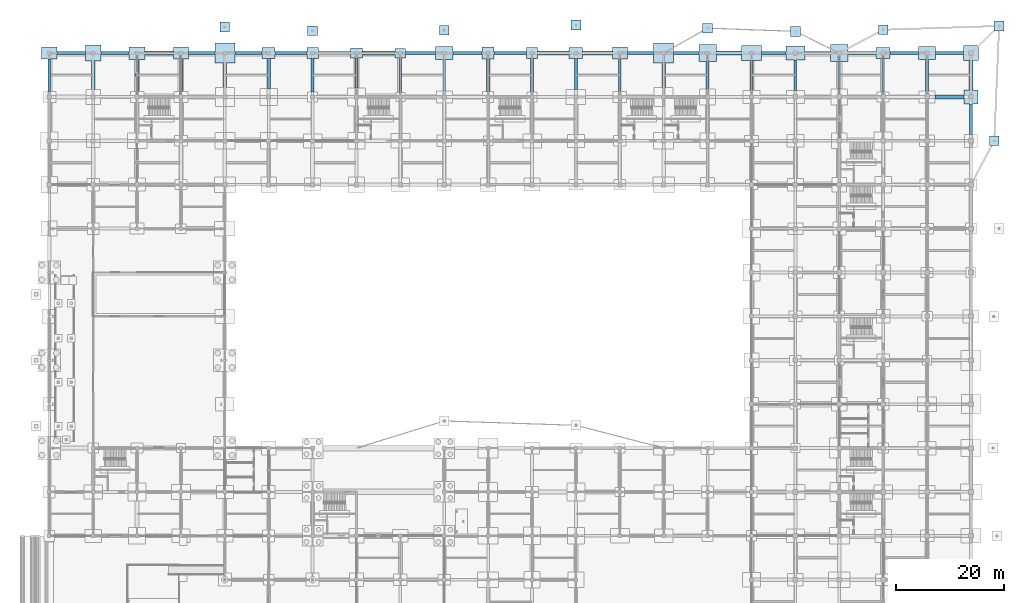
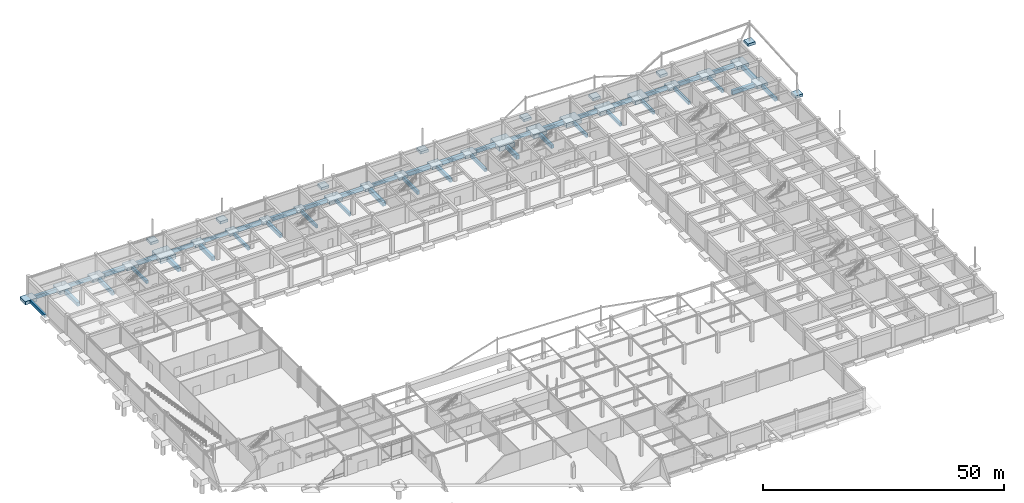
# One storey, part 10 of 67: 77 footings.
"""IFC4 building model written with IfcOpenShell, lengths in metres."""

from ifc_helpers import new_model, si_unit, direction, frame, origin, origin_2d, place, context, subcontext, project, spatial, rectangle, extrude, material, type_object, element, save


model = new_model("IFC4")

# Units and contexts
model_context = context("Model", 3, precision=1e-05, world=origin(), true_north=direction((0.0, 1.0)))
body_context = subcontext(model_context, "Body", "Model", "MODEL_VIEW")
ifc_project = project(units=[si_unit("LENGTHUNIT", "METRE"), si_unit("AREAUNIT", "SQUARE_METRE"), si_unit("VOLUMEUNIT", "CUBIC_METRE"), si_unit("PLANEANGLEUNIT", "RADIAN"), si_unit("MASSUNIT", "GRAM", prefix="KILO")], contexts=[model_context])

# Site, building, storey
site_placement = place(None, origin())
site = spatial("IfcSite", under=ifc_project, at=site_placement, CompositionType="ELEMENT")
building_placement = place(site_placement, origin())
building = spatial("IfcBuilding", under=site, at=building_placement, Name="Vaudrelin Polytechnic", CompositionType="ELEMENT")
storey_placement = place(building_placement, frame((0.0, 0.0, -5.10009765625)))
storey = spatial("IfcBuildingStorey", under=building, at=storey_placement, Name="B1", CompositionType="ELEMENT", Elevation=-5.10009765625)

# Footings
ifc_material = material(Name="Concrete 40 MPa", Category="concrete")
footing_type_1 = type_object("IfcFootingType", Name="FTG-GB-01", PredefinedType="FOOTING_BEAM", material=ifc_material)
footing_1_placement = place(storey_placement, frame((0.0, 117.39990234375, -1.25), z_axis=(0.0, 0.0, 1.0), x_axis=(1.0, 0.0, 0.0)))
element("IfcFooting", 1, at=footing_1_placement, inside=storey, type_object=footing_type_1, Name="Ground tie beam GB-0018", PredefinedType="FOOTING_BEAM", context=body_context, shape_type="SweptSolid", body=[
    extrude(rectangle(XDim=0.5, YDim=6.0, at=origin_2d()), origin(), (0.0, 0.0, 1.0), 0.800048828125),
])
footing_2_placement = place(storey_placement, frame((12.14990234375, 121.5, -1.25), z_axis=(0.0, 0.0, 1.0), x_axis=(1.0, 0.0, 0.0)))
element("IfcFooting", 2, at=footing_2_placement, inside=storey, type_object=footing_type_1, Name="Ground tie beam GB-0033", PredefinedType="FOOTING_BEAM", context=body_context, shape_type="SweptSolid", body=[
    extrude(rectangle(XDim=5.199951171875, YDim=0.5, at=origin_2d()), origin(), (0.0, 0.0, 1.0), 0.800048828125),
])
footing_3_placement = place(storey_placement, frame((24.300048828125, 117.425048828125, -1.25), z_axis=(0.0, 0.0, 1.0), x_axis=(1.0, 0.0, 0.0)))
element("IfcFooting", 3, at=footing_3_placement, inside=storey, type_object=footing_type_1, Name="Ground tie beam GB-0060", PredefinedType="FOOTING_BEAM", context=body_context, shape_type="SweptSolid", body=[
    extrude(rectangle(XDim=0.5, YDim=6.0, at=origin_2d()), origin(), (0.0, 0.0, 1.0), 0.800048828125),
])
footing_4_placement = place(storey_placement, frame((36.77490234375, 121.5, -1.25), z_axis=(0.0, 0.0, 1.0), x_axis=(1.0, 0.0, 0.0)))
element("IfcFooting", 4, at=footing_4_placement, inside=storey, type_object=footing_type_1, Name="Ground tie beam GB-0081", PredefinedType="FOOTING_BEAM", context=body_context, shape_type="SweptSolid", body=[
    extrude(rectangle(XDim=5.050048828125, YDim=0.5, at=origin_2d()), origin(), (0.0, 0.0, 1.0), 0.800048828125),
])
footing_5_placement = place(storey_placement, frame((44.625, 121.5, -1.25), z_axis=(0.0, 0.0, 1.0), x_axis=(1.0, 0.0, 0.0)))
element("IfcFooting", 5, at=footing_5_placement, inside=storey, type_object=footing_type_1, Name="Ground tie beam GB-0099", PredefinedType="FOOTING_BEAM", context=body_context, shape_type="SweptSolid", body=[
    extrude(rectangle(XDim=5.85009765625, YDim=0.5, at=origin_2d()), origin(), (0.0, 0.0, 1.0), 0.800048828125),
])
footing_6_placement = place(storey_placement, frame((48.60009765625, 117.39990234375, -1.25), z_axis=(0.0, 0.0, 1.0), x_axis=(1.0, 0.0, 0.0)))
element("IfcFooting", 6, at=footing_6_placement, inside=storey, type_object=footing_type_1, Name="Ground tie beam GB-0111", PredefinedType="FOOTING_BEAM", context=body_context, shape_type="SweptSolid", body=[
    extrude(rectangle(XDim=0.5, YDim=6.10009765625, at=origin_2d()), origin(), (0.0, 0.0, 1.0), 0.800048828125),
])
footing_7_placement = place(storey_placement, frame((64.800048828125, 117.4375, -1.25), z_axis=(0.0, 0.0, 1.0), x_axis=(1.0, 0.0, 0.0)))
element("IfcFooting", 7, at=footing_7_placement, inside=storey, type_object=footing_type_1, Name="Ground tie beam GB-0138", PredefinedType="FOOTING_BEAM", context=body_context, shape_type="SweptSolid", body=[
    extrude(rectangle(XDim=0.5, YDim=6.375, at=origin_2d()), origin(), (0.0, 0.0, 1.0), 0.800048828125),
])
footing_8_placement = place(storey_placement, frame((72.89990234375, 117.425048828125, -1.25), z_axis=(0.0, 0.0, 1.0), x_axis=(1.0, 0.0, 0.0)))
element("IfcFooting", 8, at=footing_8_placement, inside=storey, type_object=footing_type_1, Name="Ground tie beam GB-0153", PredefinedType="FOOTING_BEAM", context=body_context, shape_type="SweptSolid", body=[
    extrude(rectangle(XDim=0.5, YDim=5.800048828125, at=origin_2d()), origin(), (0.0, 0.0, 1.0), 0.800048828125),
])
footing_9_placement = place(storey_placement, frame((85.074951171875, 121.5, -1.25), z_axis=(0.0, 0.0, 1.0), x_axis=(1.0, 0.0, 0.0)))
element("IfcFooting", 9, at=footing_9_placement, inside=storey, type_object=footing_type_1, Name="Ground tie beam GB-0174", PredefinedType="FOOTING_BEAM", context=body_context, shape_type="SweptSolid", body=[
    extrude(rectangle(XDim=5.949951171875, YDim=0.5, at=origin_2d()), origin(), (0.0, 0.0, 1.0), 0.800048828125),
])
footing_10_placement = place(storey_placement, frame((105.300048828125, 117.425048828125, -1.25), z_axis=(0.0, 0.0, 1.0), x_axis=(1.0, 0.0, 0.0)))
element("IfcFooting", 10, at=footing_10_placement, inside=storey, type_object=footing_type_1, Name="Ground tie beam GB-0225", PredefinedType="FOOTING_BEAM", context=body_context, shape_type="SweptSolid", body=[
    extrude(rectangle(XDim=0.5, YDim=6.0, at=origin_2d()), origin(), (0.0, 0.0, 1.0), 0.800048828125),
])
footing_11_placement = place(storey_placement, frame((117.574951171875, 121.5, -1.25), z_axis=(0.0, 0.0, 1.0), x_axis=(1.0, 0.0, 0.0)))
element("IfcFooting", 11, at=footing_11_placement, inside=storey, type_object=footing_type_1, Name="Ground tie beam GB-0240", PredefinedType="FOOTING_BEAM", context=body_context, shape_type="SweptSolid", body=[
    extrude(rectangle(XDim=4.64990234375, YDim=0.5, at=origin_2d()), origin(), (0.0, 0.0, 1.0), 0.800048828125),
])
footing_12_placement = place(storey_placement, frame((129.60009765625, 117.35009765625, -1.25), z_axis=(0.0, 0.0, 1.0), x_axis=(1.0, 0.0, 0.0)))
element("IfcFooting", 12, at=footing_12_placement, inside=storey, type_object=footing_type_1, Name="Ground tie beam GB-0282", PredefinedType="FOOTING_BEAM", context=body_context, shape_type="SweptSolid", body=[
    extrude(rectangle(XDim=0.5, YDim=5.5, at=origin_2d()), origin(), (0.0, 0.0, 1.0), 0.800048828125),
])
footing_13_placement = place(storey_placement, frame((137.699951171875, 117.425048828125, -1.25), z_axis=(0.0, 0.0, 1.0), x_axis=(1.0, 0.0, 0.0)))
element("IfcFooting", 13, at=footing_13_placement, inside=storey, type_object=footing_type_1, Name="Ground tie beam GB-0309", PredefinedType="FOOTING_BEAM", context=body_context, shape_type="SweptSolid", body=[
    extrude(rectangle(XDim=0.5, YDim=5.60009765625, at=origin_2d()), origin(), (0.0, 0.0, 1.0), 0.800048828125),
])
footing_14_placement = place(storey_placement, frame((145.800048828125, 117.39990234375, -1.25), z_axis=(0.0, 0.0, 1.0), x_axis=(1.0, 0.0, 0.0)))
element("IfcFooting", 14, at=footing_14_placement, inside=storey, type_object=footing_type_1, Name="Ground tie beam GB-0336", PredefinedType="FOOTING_BEAM", context=body_context, shape_type="SweptSolid", body=[
    extrude(rectangle(XDim=0.5, YDim=5.0, at=origin_2d()), origin(), (0.0, 0.0, 1.0), 0.800048828125),
])
footing_15_placement = place(storey_placement, frame((153.89990234375, 117.39990234375, -1.25), z_axis=(0.0, 0.0, 1.0), x_axis=(1.0, 0.0, 0.0)))
element("IfcFooting", 15, at=footing_15_placement, inside=storey, type_object=footing_type_1, Name="Ground tie beam GB-0363", PredefinedType="FOOTING_BEAM", context=body_context, shape_type="SweptSolid", body=[
    extrude(rectangle(XDim=0.5, YDim=6.199951171875, at=origin_2d()), origin(), (0.0, 0.0, 1.0), 0.800048828125),
])
footing_16_placement = place(storey_placement, frame((162.0, 117.425048828125, -1.25), z_axis=(0.0, 0.0, 1.0), x_axis=(1.0, 0.0, 0.0)))
element("IfcFooting", 16, at=footing_16_placement, inside=storey, type_object=footing_type_1, Name="Ground tie beam GB-0390", PredefinedType="FOOTING_BEAM", context=body_context, shape_type="SweptSolid", body=[
    extrude(rectangle(XDim=0.5, YDim=5.800048828125, at=origin_2d()), origin(), (0.0, 0.0, 1.0), 0.800048828125),
])
footing_type_2 = type_object("IfcFootingType", Name="FTG-GB-02", PredefinedType="FOOTING_BEAM", material=ifc_material)
footing_17_placement = place(storey_placement, frame((4.02490234375, 121.5, -1.349853515625), z_axis=(0.0, 0.0, 1.0), x_axis=(1.0, 0.0, 0.0)))
element("IfcFooting", 17, at=footing_17_placement, inside=storey, type_object=footing_type_2, Name="Ground tie beam GB-0019", PredefinedType="FOOTING_BEAM", context=body_context, shape_type="SweptSolid", body=[
    extrude(rectangle(XDim=5.25, YDim=0.60009765625, at=origin_2d()), origin(), (0.0, 0.0, 1.0), 0.89990234375),
])
footing_18_placement = place(storey_placement, frame((16.199951171875, 117.39990234375, -1.349853515625), z_axis=(0.0, 0.0, 1.0), x_axis=(1.0, 0.0, 0.0)))
element("IfcFooting", 18, at=footing_18_placement, inside=storey, type_object=footing_type_2, Name="Ground tie beam GB-0046", PredefinedType="FOOTING_BEAM", context=body_context, shape_type="SweptSolid", body=[
    extrude(rectangle(XDim=0.60009765625, YDim=5.89990234375, at=origin_2d()), origin(), (0.0, 0.0, 1.0), 0.89990234375),
])
footing_19_placement = place(storey_placement, frame((28.112548828125, 121.5, -1.349853515625), z_axis=(0.0, 0.0, 1.0), x_axis=(1.0, 0.0, 0.0)))
element("IfcFooting", 19, at=footing_19_placement, inside=storey, type_object=footing_type_2, Name="Ground tie beam GB-0061", PredefinedType="FOOTING_BEAM", context=body_context, shape_type="SweptSolid", body=[
    extrude(rectangle(XDim=4.875, YDim=0.60009765625, at=origin_2d()), origin(), (0.0, 0.0, 1.0), 0.89990234375),
])
footing_20_placement = place(storey_placement, frame((52.625, 121.5, -1.349853515625), z_axis=(0.0, 0.0, 1.0), x_axis=(1.0, 0.0, 0.0)))
element("IfcFooting", 20, at=footing_20_placement, inside=storey, type_object=footing_type_2, Name="Ground tie beam GB-0112", PredefinedType="FOOTING_BEAM", context=body_context, shape_type="SweptSolid", body=[
    extrude(rectangle(XDim=5.949951171875, YDim=0.60009765625, at=origin_2d()), origin(), (0.0, 0.0, 1.0), 0.89990234375),
])
footing_21_placement = place(storey_placement, frame((56.699951171875, 117.824951171875, -1.349853515625), z_axis=(0.0, 0.0, 1.0), x_axis=(1.0, 0.0, 0.0)))
element("IfcFooting", 21, at=footing_21_placement, inside=storey, type_object=footing_type_2, Name="Ground tie beam GB-0124", PredefinedType="FOOTING_BEAM", context=body_context, shape_type="SweptSolid", body=[
    extrude(rectangle(XDim=0.60009765625, YDim=5.550048828125, at=origin_2d()), origin(), (0.0, 0.0, 1.0), 0.89990234375),
])
footing_22_placement = place(storey_placement, frame((68.550048828125, 121.5, -1.349853515625), z_axis=(0.0, 0.0, 1.0), x_axis=(1.0, 0.0, 0.0)))
element("IfcFooting", 22, at=footing_22_placement, inside=storey, type_object=footing_type_2, Name="Ground tie beam GB-0139", PredefinedType="FOOTING_BEAM", context=body_context, shape_type="SweptSolid", body=[
    extrude(rectangle(XDim=5.550048828125, YDim=0.60009765625, at=origin_2d()), origin(), (0.0, 0.0, 1.0), 0.89990234375),
])
footing_23_placement = place(storey_placement, frame((77.1875, 121.5, -1.349853515625), z_axis=(0.0, 0.0, 1.0), x_axis=(1.0, 0.0, 0.0)))
element("IfcFooting", 23, at=footing_23_placement, inside=storey, type_object=footing_type_2, Name="Ground tie beam GB-0154", PredefinedType="FOOTING_BEAM", context=body_context, shape_type="SweptSolid", body=[
    extrude(rectangle(XDim=5.425048828125, YDim=0.60009765625, at=origin_2d()), origin(), (0.0, 0.0, 1.0), 0.89990234375),
])
footing_24_placement = place(storey_placement, frame((89.10009765625, 117.39990234375, -1.349853515625), z_axis=(0.0, 0.0, 1.0), x_axis=(1.0, 0.0, 0.0)))
element("IfcFooting", 24, at=footing_24_placement, inside=storey, type_object=footing_type_2, Name="Ground tie beam GB-0193", PredefinedType="FOOTING_BEAM", context=body_context, shape_type="SweptSolid", body=[
    extrude(rectangle(XDim=0.60009765625, YDim=6.10009765625, at=origin_2d()), origin(), (0.0, 0.0, 1.0), 0.89990234375),
])
footing_25_placement = place(storey_placement, frame((97.199951171875, 117.625, -1.349853515625), z_axis=(0.0, 0.0, 1.0), x_axis=(1.0, 0.0, 0.0)))
element("IfcFooting", 25, at=footing_25_placement, inside=storey, type_object=footing_type_2, Name="Ground tie beam GB-0211", PredefinedType="FOOTING_BEAM", context=body_context, shape_type="SweptSolid", body=[
    extrude(rectangle(XDim=0.60009765625, YDim=5.64990234375, at=origin_2d()), origin(), (0.0, 0.0, 1.0), 0.89990234375),
])
footing_26_placement = place(storey_placement, frame((109.112548828125, 121.5, -1.349853515625), z_axis=(0.0, 0.0, 1.0), x_axis=(1.0, 0.0, 0.0)))
element("IfcFooting", 26, at=footing_26_placement, inside=storey, type_object=footing_type_2, Name="Ground tie beam GB-0226", PredefinedType="FOOTING_BEAM", context=body_context, shape_type="SweptSolid", body=[
    extrude(rectangle(XDim=4.875, YDim=0.60009765625, at=origin_2d()), origin(), (0.0, 0.0, 1.0), 0.89990234375),
])
footing_27_placement = place(storey_placement, frame((121.5, 117.39990234375, -1.349853515625), z_axis=(0.0, 0.0, 1.0), x_axis=(1.0, 0.0, 0.0)))
element("IfcFooting", 27, at=footing_27_placement, inside=storey, type_object=footing_type_2, Name="Ground tie beam GB-0253", PredefinedType="FOOTING_BEAM", context=body_context, shape_type="SweptSolid", body=[
    extrude(rectangle(XDim=0.60009765625, YDim=5.0, at=origin_2d()), origin(), (0.0, 0.0, 1.0), 0.89990234375),
])
footing_28_placement = place(storey_placement, frame((133.66259765625, 121.5, -1.349853515625), z_axis=(0.0, 0.0, 1.0), x_axis=(1.0, 0.0, 0.0)))
element("IfcFooting", 28, at=footing_28_placement, inside=storey, type_object=footing_type_2, Name="Ground tie beam GB-0283", PredefinedType="FOOTING_BEAM", context=body_context, shape_type="SweptSolid", body=[
    extrude(rectangle(XDim=4.52490234375, YDim=0.60009765625, at=origin_2d()), origin(), (0.0, 0.0, 1.0), 0.89990234375),
])
footing_29_placement = place(storey_placement, frame((141.83740234375, 121.5, -1.349853515625), z_axis=(0.0, 0.0, 1.0), x_axis=(1.0, 0.0, 0.0)))
element("IfcFooting", 29, at=footing_29_placement, inside=storey, type_object=footing_type_2, Name="Ground tie beam GB-0310", PredefinedType="FOOTING_BEAM", context=body_context, shape_type="SweptSolid", body=[
    extrude(rectangle(XDim=4.72509765625, YDim=0.60009765625, at=origin_2d()), origin(), (0.0, 0.0, 1.0), 0.89990234375),
])
footing_30_placement = place(storey_placement, frame((150.0, 121.5, -1.349853515625), z_axis=(0.0, 0.0, 1.0), x_axis=(1.0, 0.0, 0.0)))
element("IfcFooting", 30, at=footing_30_placement, inside=storey, type_object=footing_type_2, Name="Ground tie beam GB-0337", PredefinedType="FOOTING_BEAM", context=body_context, shape_type="SweptSolid", body=[
    extrude(rectangle(XDim=5.199951171875, YDim=0.60009765625, at=origin_2d()), origin(), (0.0, 0.0, 1.0), 0.89990234375),
])
footing_31_placement = place(storey_placement, frame((157.8125, 121.5, -1.349853515625), z_axis=(0.0, 0.0, 1.0), x_axis=(1.0, 0.0, 0.0)))
element("IfcFooting", 31, at=footing_31_placement, inside=storey, type_object=footing_type_2, Name="Ground tie beam GB-0364", PredefinedType="FOOTING_BEAM", context=body_context, shape_type="SweptSolid", body=[
    extrude(rectangle(XDim=5.22509765625, YDim=0.60009765625, at=origin_2d()), origin(), (0.0, 0.0, 1.0), 0.89990234375),
])
footing_32_placement = place(storey_placement, frame((166.137451171875, 121.5, -1.349853515625), z_axis=(0.0, 0.0, 1.0), x_axis=(1.0, 0.0, 0.0)))
element("IfcFooting", 32, at=footing_32_placement, inside=storey, type_object=footing_type_2, Name="Ground tie beam GB-0391", PredefinedType="FOOTING_BEAM", context=body_context, shape_type="SweptSolid", body=[
    extrude(rectangle(XDim=5.125, YDim=0.60009765625, at=origin_2d()), origin(), (0.0, 0.0, 1.0), 0.89990234375),
])
footing_33_placement = place(storey_placement, frame((170.10009765625, 109.300048828125, -1.349853515625), z_axis=(0.0, 0.0, 1.0), x_axis=(1.0, 0.0, 0.0)))
element("IfcFooting", 33, at=footing_33_placement, inside=storey, type_object=footing_type_2, Name="Ground tie beam GB-0403", PredefinedType="FOOTING_BEAM", context=body_context, shape_type="SweptSolid", body=[
    extrude(rectangle(XDim=0.60009765625, YDim=5.60009765625, at=origin_2d()), origin(), (0.0, 0.0, 1.0), 0.89990234375),
])
footing_type_3 = type_object("IfcFootingType", Name="FTG-GB-03", PredefinedType="FOOTING_BEAM", material=ifc_material)
footing_34_placement = place(storey_placement, frame((8.10009765625, 117.39990234375, -1.449951171875), z_axis=(0.0, 0.0, 1.0), x_axis=(1.0, 0.0, 0.0)))
element("IfcFooting", 34, at=footing_34_placement, inside=storey, type_object=footing_type_3, Name="Ground tie beam GB-0032", PredefinedType="FOOTING_BEAM", context=body_context, shape_type="SweptSolid", body=[
    extrude(rectangle(XDim=0.699951171875, YDim=5.300048828125, at=origin_2d()), origin(), (0.0, 0.0, 1.0), 1.0),
])
footing_35_placement = place(storey_placement, frame((20.28759765625, 121.5, -1.449951171875), z_axis=(0.0, 0.0, 1.0), x_axis=(1.0, 0.0, 0.0)))
element("IfcFooting", 35, at=footing_35_placement, inside=storey, type_object=footing_type_3, Name="Ground tie beam GB-0047", PredefinedType="FOOTING_BEAM", context=body_context, shape_type="SweptSolid", body=[
    extrude(rectangle(XDim=5.27490234375, YDim=0.699951171875, at=origin_2d()), origin(), (0.0, 0.0, 1.0), 1.0),
])
footing_36_placement = place(storey_placement, frame((32.39990234375, 117.39990234375, -1.449951171875), z_axis=(0.0, 0.0, 1.0), x_axis=(1.0, 0.0, 0.0)))
element("IfcFooting", 36, at=footing_36_placement, inside=storey, type_object=footing_type_3, Name="Ground tie beam GB-0080", PredefinedType="FOOTING_BEAM", context=body_context, shape_type="SweptSolid", body=[
    extrude(rectangle(XDim=0.699951171875, YDim=4.5, at=origin_2d()), origin(), (0.0, 0.0, 1.0), 1.0),
])
footing_37_placement = place(storey_placement, frame((40.5, 117.75, -1.449951171875), z_axis=(0.0, 0.0, 1.0), x_axis=(1.0, 0.0, 0.0)))
element("IfcFooting", 37, at=footing_37_placement, inside=storey, type_object=footing_type_3, Name="Ground tie beam GB-0098", PredefinedType="FOOTING_BEAM", context=body_context, shape_type="SweptSolid", body=[
    extrude(rectangle(XDim=0.699951171875, YDim=5.5, at=origin_2d()), origin(), (0.0, 0.0, 1.0), 1.0),
])
footing_38_placement = place(storey_placement, frame((60.8125, 121.5, -1.449951171875), z_axis=(0.0, 0.0, 1.0), x_axis=(1.0, 0.0, 0.0)))
element("IfcFooting", 38, at=footing_38_placement, inside=storey, type_object=footing_type_3, Name="Ground tie beam GB-0125", PredefinedType="FOOTING_BEAM", context=body_context, shape_type="SweptSolid", body=[
    extrude(rectangle(XDim=6.02490234375, YDim=0.699951171875, at=origin_2d()), origin(), (0.0, 0.0, 1.0), 1.0),
])
footing_39_placement = place(storey_placement, frame((81.0, 117.39990234375, -1.449951171875), z_axis=(0.0, 0.0, 1.0), x_axis=(1.0, 0.0, 0.0)))
element("IfcFooting", 39, at=footing_39_placement, inside=storey, type_object=footing_type_3, Name="Ground tie beam GB-0173", PredefinedType="FOOTING_BEAM", context=body_context, shape_type="SweptSolid", body=[
    extrude(rectangle(XDim=0.699951171875, YDim=6.0, at=origin_2d()), origin(), (0.0, 0.0, 1.0), 1.0),
])
footing_40_placement = place(storey_placement, frame((93.050048828125, 121.5, -1.449951171875), z_axis=(0.0, 0.0, 1.0), x_axis=(1.0, 0.0, 0.0)))
element("IfcFooting", 40, at=footing_40_placement, inside=storey, type_object=footing_type_3, Name="Ground tie beam GB-0194", PredefinedType="FOOTING_BEAM", context=body_context, shape_type="SweptSolid", body=[
    extrude(rectangle(XDim=5.800048828125, YDim=0.699951171875, at=origin_2d()), origin(), (0.0, 0.0, 1.0), 1.0),
])
footing_41_placement = place(storey_placement, frame((101.1875, 121.5, -1.449951171875), z_axis=(0.0, 0.0, 1.0), x_axis=(1.0, 0.0, 0.0)))
element("IfcFooting", 41, at=footing_41_placement, inside=storey, type_object=footing_type_3, Name="Ground tie beam GB-0212", PredefinedType="FOOTING_BEAM", context=body_context, shape_type="SweptSolid", body=[
    extrude(rectangle(XDim=5.47509765625, YDim=0.699951171875, at=origin_2d()), origin(), (0.0, 0.0, 1.0), 1.0),
])
footing_42_placement = place(storey_placement, frame((113.39990234375, 117.39990234375, -1.449951171875), z_axis=(0.0, 0.0, 1.0), x_axis=(1.0, 0.0, 0.0)))
element("IfcFooting", 42, at=footing_42_placement, inside=storey, type_object=footing_type_3, Name="Ground tie beam GB-0239", PredefinedType="FOOTING_BEAM", context=body_context, shape_type="SweptSolid", body=[
    extrude(rectangle(XDim=0.699951171875, YDim=4.5, at=origin_2d()), origin(), (0.0, 0.0, 1.0), 1.0),
])
footing_43_placement = place(storey_placement, frame((125.449951171875, 121.5, -1.449951171875), z_axis=(0.0, 0.0, 1.0), x_axis=(1.0, 0.0, 0.0)))
element("IfcFooting", 43, at=footing_43_placement, inside=storey, type_object=footing_type_3, Name="Ground tie beam GB-0254", PredefinedType="FOOTING_BEAM", context=body_context, shape_type="SweptSolid", body=[
    extrude(rectangle(XDim=4.699951171875, YDim=0.699951171875, at=origin_2d()), origin(), (0.0, 0.0, 1.0), 1.0),
])
footing_44_placement = place(storey_placement, frame((166.137451171875, 113.39990234375, -1.449951171875), z_axis=(0.0, 0.0, 1.0), x_axis=(1.0, 0.0, 0.0)))
element("IfcFooting", 44, at=footing_44_placement, inside=storey, type_object=footing_type_3, Name="Ground tie beam GB-0389", PredefinedType="FOOTING_BEAM", context=body_context, shape_type="SweptSolid", body=[
    extrude(rectangle(XDim=5.324951171875, YDim=0.699951171875, at=origin_2d()), origin(), (0.0, 0.0, 1.0), 1.0),
])
footing_45_placement = place(storey_placement, frame((170.10009765625, 117.39990234375, -1.449951171875), z_axis=(0.0, 0.0, 1.0), x_axis=(1.0, 0.0, 0.0)))
element("IfcFooting", 45, at=footing_45_placement, inside=storey, type_object=footing_type_3, Name="Ground tie beam GB-0404", PredefinedType="FOOTING_BEAM", context=body_context, shape_type="SweptSolid", body=[
    extrude(rectangle(XDim=0.699951171875, YDim=5.39990234375, at=origin_2d()), origin(), (0.0, 0.0, 1.0), 1.0),
])
footing_type_4 = type_object("IfcFootingType", Name="FTG-PF-01", PredefinedType="PAD_FOOTING", material=ifc_material)
for number, where, z_axis, x_axis, name in (
    (46, (175.300048828125, 126.5, -0.64990234375), (0.0, 0.0, 1.0), (1.0, 0.0, 0.0), "Sculptural prow footing NE_APX"),
    (47, (153.89990234375, 125.800048828125, -0.64990234375), (0.0, 0.0, 1.0), (1.0, 0.0, 0.0), "Sculptural prow footing NE_N"),
    (48, (174.39990234375, 105.300048828125, -0.64990234375), (0.0, 0.0, 1.0), (1.0, 0.0, 0.0), "Sculptural prow footing NE_E"),
    (49, (32.39990234375, 126.300048828125, -0.64990234375), (0.0, 0.0, 1.0), (1.0, 0.0, 0.0), "Sculptural prow footing N_OR1_1"),
    (50, (48.60009765625, 125.60009765625, -0.64990234375), (0.0, 0.0, 1.0), (1.0, 0.0, 0.0), "Sculptural prow footing N_OR1_2"),
    (51, (72.89990234375, 125.699951171875, -0.64990234375), (0.0, 0.0, 1.0), (1.0, 0.0, 0.0), "Sculptural prow footing N_OR2_1"),
    (52, (97.199951171875, 126.699951171875, -0.64990234375), (0.0, 0.0, 1.0), (1.0, 0.0, 0.0), "Sculptural prow footing N_OR2_2"),
    (53, (121.5, 126.10009765625, -0.64990234375), (0.0, 0.0, 1.0), (1.0, 0.0, 0.0), "Sculptural prow footing N_OR3_1"),
    (54, (137.699951171875, 125.5, -0.64990234375), (0.0, 0.0, 1.0), (1.0, 0.0, 0.0), "Sculptural prow footing N_OR3_2"),
):
    element("IfcFooting", number, at=place(storey_placement, frame(where, z_axis=z_axis, x_axis=x_axis)), inside=storey, type_object=footing_type_4, Name=name, PredefinedType="PAD_FOOTING", context=body_context, shape_type="SweptSolid", body=[
        extrude(rectangle(XDim=1.800048828125, YDim=1.800048828125, at=origin_2d()), origin(), (0.0, 0.0, 1.0), 0.64990234375),
    ])
footing_type_5 = type_object("IfcFootingType", Name="FTG-PF-03", PredefinedType="PAD_FOOTING", material=ifc_material)
footing_46_placement = place(storey_placement, frame((81.0, 121.5, -1.199951171875), z_axis=(0.0, 0.0, 1.0), x_axis=(1.0, 0.0, 0.0)))
element("IfcFooting", 55, at=footing_46_placement, inside=storey, type_object=footing_type_5, Name="Spread footing 10-15", PredefinedType="PAD_FOOTING", context=body_context, shape_type="SweptSolid", body=[
    extrude(rectangle(XDim=2.199951171875, YDim=2.199951171875, at=origin_2d()), origin(), (0.0, 0.0, 1.0), 0.75),
])
footing_type_6 = type_object("IfcFootingType", Name="FTG-PF-05", PredefinedType="PAD_FOOTING", material=ifc_material)
footing_47_placement = place(storey_placement, frame((170.10009765625, 113.39990234375, -1.300048828125), z_axis=(0.0, 0.0, 1.0), x_axis=(1.0, 0.0, 0.0)))
element("IfcFooting", 56, at=footing_47_placement, inside=storey, type_object=footing_type_6, Name="Spread footing 21-14", PredefinedType="PAD_FOOTING", context=body_context, shape_type="SweptSolid", body=[
    extrude(rectangle(XDim=2.60009765625, YDim=2.60009765625, at=origin_2d()), origin(), (0.0, 0.0, 1.0), 0.85009765625),
])
footing_type_7 = type_object("IfcFootingType", Name="FTG-PF-06", PredefinedType="PAD_FOOTING", material=ifc_material)
footing_48_placement = place(storey_placement, frame((170.10009765625, 121.5, -1.349853515625), z_axis=(0.0, 0.0, 1.0), x_axis=(1.0, 0.0, 0.0)))
element("IfcFooting", 57, at=footing_48_placement, inside=storey, type_object=footing_type_7, Name="Spread footing 21-15", PredefinedType="PAD_FOOTING", context=body_context, shape_type="SweptSolid", body=[
    extrude(rectangle(XDim=2.800048828125, YDim=2.800048828125, at=origin_2d()), origin(), (0.0, 0.0, 1.0), 0.89990234375),
])
footing_type_8 = type_object("IfcFootingType", Name="FTG-PF-08", PredefinedType="PAD_FOOTING", material=ifc_material)
for number, where, z_axis, x_axis, name in (
    (58, (121.5, 121.5, -1.449951171875), (0.0, 0.0, 1.0), (1.0, 0.0, 0.0), "Spread footing 15-15"),
    (59, (145.800048828125, 121.5, -1.449951171875), (0.0, 0.0, 1.0), (1.0, 0.0, 0.0), "Spread footing 18-15"),
):
    element("IfcFooting", number, at=place(storey_placement, frame(where, z_axis=z_axis, x_axis=x_axis)), inside=storey, type_object=footing_type_8, Name=name, PredefinedType="PAD_FOOTING", context=body_context, shape_type="SweptSolid", body=[
        extrude(rectangle(XDim=3.199951171875, YDim=3.199951171875, at=origin_2d()), origin(), (0.0, 0.0, 1.0), 1.0),
    ])
footing_type_9 = type_object("IfcFootingType", Name="FTG-PF-09", PredefinedType="PAD_FOOTING", material=ifc_material)
footing_49_placement = place(storey_placement, frame((40.5, 121.5, -1.199951171875), z_axis=(0.0, 0.0, 1.0), x_axis=(1.0, 0.0, 0.0)))
element("IfcFooting", 60, at=footing_49_placement, inside=storey, type_object=footing_type_9, Name="Spread footing 5-15", PredefinedType="PAD_FOOTING", context=body_context, shape_type="SweptSolid", body=[
    extrude(rectangle(XDim=2.39990234375, YDim=2.0, at=origin_2d()), origin(), (0.0, 0.0, 1.0), 0.75),
])
footing_type_10 = type_object("IfcFootingType", Name="FTG-PF-10", PredefinedType="PAD_FOOTING", material=ifc_material)
footing_50_placement = place(storey_placement, frame((0.0, 121.5, -1.300048828125), z_axis=(0.0, 0.0, 1.0), x_axis=(1.0, 0.0, 0.0)))
element("IfcFooting", 61, at=footing_50_placement, inside=storey, type_object=footing_type_10, Name="Spread footing 0-15", PredefinedType="PAD_FOOTING", context=body_context, shape_type="SweptSolid", body=[
    extrude(rectangle(XDim=2.800048828125, YDim=2.199951171875, at=origin_2d()), origin(), (0.0, 0.0, 1.0), 0.85009765625),
])
footing_type_11 = type_object("IfcFootingType", Name="FTG-PF-14", PredefinedType="PAD_FOOTING", material=ifc_material)
for number, where, z_axis, x_axis, name in (
    (62, (48.60009765625, 121.5, -1.14990234375), (0.0, 0.0, 1.0), (1.0, 0.0, 0.0), "Spread footing 6-15"),
    (63, (89.10009765625, 121.5, -1.14990234375), (0.0, 0.0, 1.0), (1.0, 0.0, 0.0), "Spread footing 11-15"),
):
    element("IfcFooting", number, at=place(storey_placement, frame(where, z_axis=z_axis, x_axis=x_axis)), inside=storey, type_object=footing_type_11, Name=name, PredefinedType="PAD_FOOTING", context=body_context, shape_type="SweptSolid", body=[
        extrude(rectangle(XDim=2.10009765625, YDim=2.10009765625, at=origin_2d()), origin(), (0.0, 0.0, 1.0), 0.699951171875),
    ])
footing_type_12 = type_object("IfcFootingType", Name="FTG-PF-18", PredefinedType="PAD_FOOTING", material=ifc_material)
footing_51_placement = place(storey_placement, frame((8.10009765625, 121.5, -1.349853515625), z_axis=(0.0, 0.0, 1.0), x_axis=(1.0, 0.0, 0.0)))
element("IfcFooting", 64, at=footing_51_placement, inside=storey, type_object=footing_type_12, Name="Spread footing 1-15", PredefinedType="PAD_FOOTING", context=body_context, shape_type="SweptSolid", body=[
    extrude(rectangle(XDim=2.89990234375, YDim=2.89990234375, at=origin_2d()), origin(), (0.0, 0.0, 1.0), 0.89990234375),
])
footing_type_13 = type_object("IfcFootingType", Name="FTG-PF-21", PredefinedType="PAD_FOOTING", material=ifc_material)
footing_52_placement = place(storey_placement, frame((56.699951171875, 121.5, -1.14990234375), z_axis=(0.0, 0.0, 1.0), x_axis=(1.0, 0.0, 0.0)))
element("IfcFooting", 65, at=footing_52_placement, inside=storey, type_object=footing_type_13, Name="Spread footing 7-15", PredefinedType="PAD_FOOTING", context=body_context, shape_type="SweptSolid", body=[
    extrude(rectangle(XDim=2.199951171875, YDim=1.800048828125, at=origin_2d()), origin(), (0.0, 0.0, 1.0), 0.699951171875),
])
footing_type_14 = type_object("IfcFootingType", Name="FTG-PF-22", PredefinedType="PAD_FOOTING", material=ifc_material)
footing_53_placement = place(storey_placement, frame((153.89990234375, 121.5, -1.25), z_axis=(0.0, 0.0, 1.0), x_axis=(1.0, 0.0, 0.0)))
element("IfcFooting", 66, at=footing_53_placement, inside=storey, type_object=footing_type_14, Name="Spread footing 19-15", PredefinedType="PAD_FOOTING", context=body_context, shape_type="SweptSolid", body=[
    extrude(rectangle(XDim=2.60009765625, YDim=2.0, at=origin_2d()), origin(), (0.0, 0.0, 1.0), 0.800048828125),
])
footing_type_15 = type_object("IfcFootingType", Name="FTG-PF-24", PredefinedType="PAD_FOOTING", material=ifc_material)
footing_54_placement = place(storey_placement, frame((129.60009765625, 121.5, -1.550048828125), z_axis=(0.0, 0.0, 1.0), x_axis=(1.0, 0.0, 0.0)))
element("IfcFooting", 67, at=footing_54_placement, inside=storey, type_object=footing_type_15, Name="Spread footing 16-15", PredefinedType="PAD_FOOTING", context=body_context, shape_type="SweptSolid", body=[
    extrude(rectangle(XDim=3.60009765625, YDim=2.800048828125, at=origin_2d()), origin(), (0.0, 0.0, 1.0), 1.10009765625),
])
footing_type_16 = type_object("IfcFootingType", Name="FTG-PF-25", PredefinedType="PAD_FOOTING", material=ifc_material)
footing_55_placement = place(storey_placement, frame((97.199951171875, 121.5, -1.22998046875), z_axis=(0.0, 0.0, 1.0), x_axis=(1.0, 0.0, 0.0)))
element("IfcFooting", 68, at=footing_55_placement, inside=storey, type_object=footing_type_16, Name="Spread footing 12-15", PredefinedType="PAD_FOOTING", context=body_context, shape_type="SweptSolid", body=[
    extrude(rectangle(XDim=2.5, YDim=2.10009765625, at=origin_2d()), origin(), (0.0, 0.0, 1.0), 0.780029296875),
])
footing_type_17 = type_object("IfcFootingType", Name="FTG-PF-26", PredefinedType="PAD_FOOTING", material=ifc_material)
footing_56_placement = place(storey_placement, frame((16.199951171875, 121.5, -1.329833984375), z_axis=(0.0, 0.0, 1.0), x_axis=(1.0, 0.0, 0.0)))
element("IfcFooting", 69, at=footing_56_placement, inside=storey, type_object=footing_type_17, Name="Spread footing 2-15", PredefinedType="PAD_FOOTING", context=body_context, shape_type="SweptSolid", body=[
    extrude(rectangle(XDim=2.89990234375, YDim=2.300048828125, at=origin_2d()), origin(), (0.0, 0.0, 1.0), 0.8798828125),
])
footing_type_18 = type_object("IfcFootingType", Name="FTG-PF-30", PredefinedType="PAD_FOOTING", material=ifc_material)
footing_57_placement = place(storey_placement, frame((64.800048828125, 121.5, -1.099853515625), z_axis=(0.0, 0.0, 1.0), x_axis=(1.0, 0.0, 0.0)))
element("IfcFooting", 70, at=footing_57_placement, inside=storey, type_object=footing_type_18, Name="Spread footing 8-15", PredefinedType="PAD_FOOTING", context=body_context, shape_type="SweptSolid", body=[
    extrude(rectangle(XDim=1.949951171875, YDim=1.75, at=origin_2d()), origin(), (0.0, 0.0, 1.0), 0.64990234375),
])
footing_type_19 = type_object("IfcFootingType", Name="FTG-PF-34", PredefinedType="PAD_FOOTING", material=ifc_material)
for number, where, z_axis, x_axis, name in (
    (71, (24.300048828125, 121.5, -1.300048828125), (0.0, 0.0, 1.0), (1.0, 0.0, 0.0), "Spread footing 3-15"),
    (72, (105.300048828125, 121.5, -1.300048828125), (0.0, 0.0, 1.0), (1.0, 0.0, 0.0), "Spread footing 13-15"),
):
    element("IfcFooting", number, at=place(storey_placement, frame(where, z_axis=z_axis, x_axis=x_axis)), inside=storey, type_object=footing_type_19, Name=name, PredefinedType="PAD_FOOTING", context=body_context, shape_type="SweptSolid", body=[
        extrude(rectangle(XDim=2.75, YDim=2.14990234375, at=origin_2d()), origin(), (0.0, 0.0, 1.0), 0.85009765625),
    ])
footing_type_20 = type_object("IfcFootingType", Name="FTG-PF-36", PredefinedType="PAD_FOOTING", material=ifc_material)
for number, where, z_axis, x_axis, name in (
    (73, (72.89990234375, 121.5, -1.39990234375), (0.0, 0.0, 1.0), (1.0, 0.0, 0.0), "Spread footing 9-15"),
    (74, (162.0, 121.5, -1.39990234375), (0.0, 0.0, 1.0), (1.0, 0.0, 0.0), "Spread footing 20-15"),
):
    element("IfcFooting", number, at=place(storey_placement, frame(where, z_axis=z_axis, x_axis=x_axis)), inside=storey, type_object=footing_type_20, Name=name, PredefinedType="PAD_FOOTING", context=body_context, shape_type="SweptSolid", body=[
        extrude(rectangle(XDim=3.14990234375, YDim=2.35009765625, at=origin_2d()), origin(), (0.0, 0.0, 1.0), 0.949951171875),
    ])
footing_type_21 = type_object("IfcFootingType", Name="FTG-PF-38", PredefinedType="PAD_FOOTING", material=ifc_material)
footing_58_placement = place(storey_placement, frame((137.699951171875, 121.5, -1.5), z_axis=(0.0, 0.0, 1.0), x_axis=(1.0, 0.0, 0.0)))
element("IfcFooting", 75, at=footing_58_placement, inside=storey, type_object=footing_type_21, Name="Spread footing 17-15", PredefinedType="PAD_FOOTING", context=body_context, shape_type="SweptSolid", body=[
    extrude(rectangle(XDim=3.550048828125, YDim=2.550048828125, at=origin_2d()), origin(), (0.0, 0.0, 1.0), 1.050048828125),
])
footing_type_22 = type_object("IfcFootingType", Name="FTG-PF-43", PredefinedType="PAD_FOOTING", material=ifc_material)
for number, where, z_axis, x_axis, name in (
    (76, (32.39990234375, 121.5, -1.599853515625), (0.0, 0.0, 1.0), (1.0, 0.0, 0.0), "Spread footing 4-15"),
    (77, (113.39990234375, 121.5, -1.599853515625), (0.0, 0.0, 1.0), (1.0, 0.0, 0.0), "Spread footing 14-15"),
):
    element("IfcFooting", number, at=place(storey_placement, frame(where, z_axis=z_axis, x_axis=x_axis)), inside=storey, type_object=footing_type_22, Name=name, PredefinedType="PAD_FOOTING", context=body_context, shape_type="SweptSolid", body=[
        extrude(rectangle(XDim=3.699951171875, YDim=3.699951171875, at=origin_2d()), origin(), (0.0, 0.0, 1.0), 1.14990234375),
    ])

save(model, "model.ifc")
